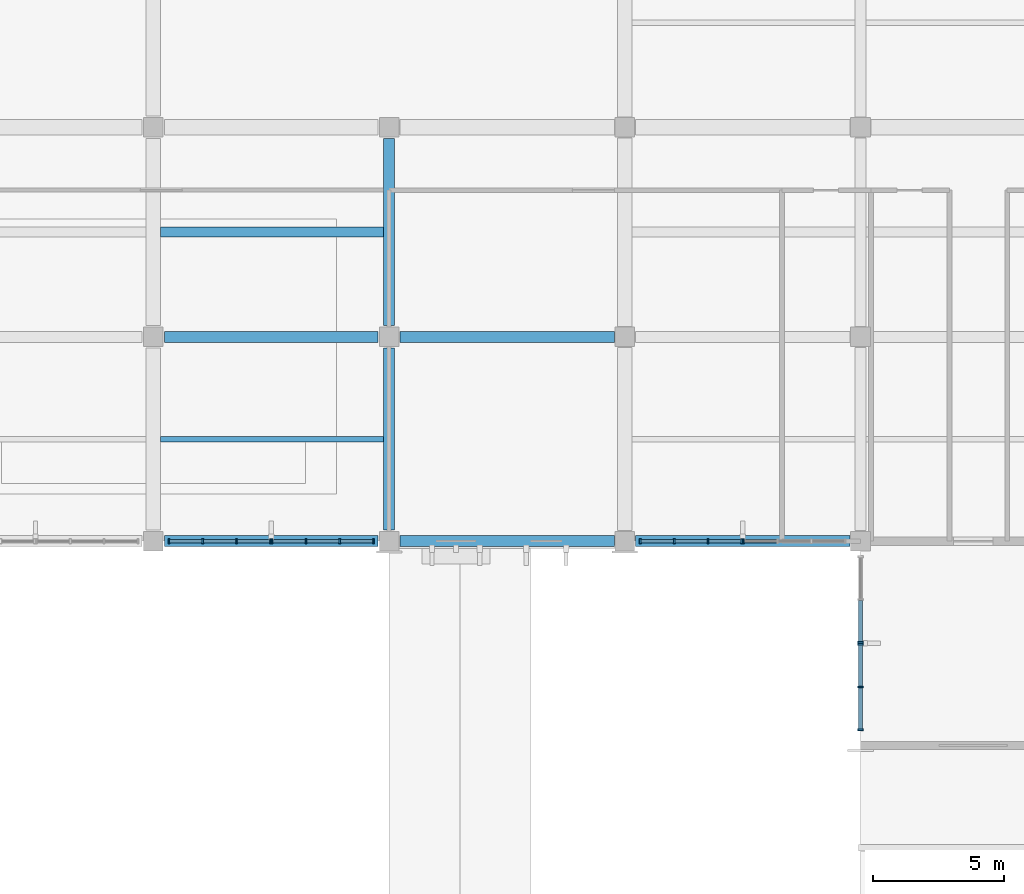
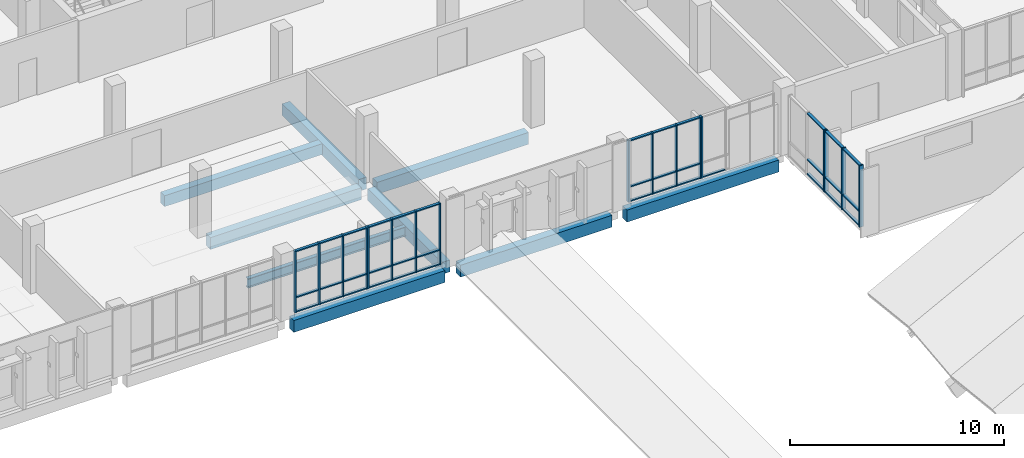
# One storey, part 21 of 64: 54 members, 9 beams, 6 elements without a shape of their own.
"""IFC4 building model written with IfcOpenShell, lengths in metres."""

from ifc_helpers import new_model, si_unit, direction, frame, origin, origin_2d, place, context, subcontext, project, spatial, rectangle, i_section, extrude, material, material_profile, profile_set, type_object, element, aggregate, save


model = new_model("IFC4")

# Units and contexts
model_context = context("Model", 3, precision=1e-05, world=origin(), true_north=direction((0.0, 1.0)))
body_context = subcontext(model_context, "Body", "Model", "MODEL_VIEW")
ifc_project = project(units=[si_unit("LENGTHUNIT", "METRE"), si_unit("AREAUNIT", "SQUARE_METRE"), si_unit("VOLUMEUNIT", "CUBIC_METRE"), si_unit("PLANEANGLEUNIT", "RADIAN"), si_unit("MASSUNIT", "GRAM", prefix="KILO")], contexts=[model_context])

# Site, building, storey
site_placement = place(None, origin())
site = spatial("IfcSite", under=ifc_project, at=site_placement, CompositionType="ELEMENT")
building_placement = place(site_placement, origin())
building = spatial("IfcBuilding", under=site, at=building_placement, Name="Vervanel Yard Central Library", CompositionType="ELEMENT")
storey_placement = place(building_placement, frame((0.0, 0.0, 8.93994140625)))
storey = spatial("IfcBuildingStorey", under=building, at=storey_placement, Name="L02", CompositionType="ELEMENT", Elevation=8.93994140625)

# Beams
ifc_material_1 = material(Name="Concrete C40/50", Category="concrete")
ifc_material_profile_1 = material_profile(ifc_material_1, rectangle(XDim=0.419921875, YDim=0.679931640625, at=origin_2d()), Name="RC 420x680", Category="concrete")
ifc_profile_set_1 = profile_set([ifc_material_profile_1], Name="Concrete C40/50")
beam_type_1 = type_object("IfcBeamType", Name="Concrete Perimeter Spandrel 420x680", PredefinedType="SPANDREL", material=ifc_profile_set_1)
beam_1_placement = place(storey_placement, frame((63.425048828125, 82.199951171875, -0.64501953125), z_axis=(1.0, 0.0, 0.0), x_axis=(0.0, 1.0, 0.0)))
element("IfcBeam", 1, at=beam_1_placement, inside=storey, type_object=beam_type_1, Name="L02 Girder SP-04 Y=82.2 X=63.0-72.0", PredefinedType="SPANDREL", context=body_context, shape_type="SweptSolid", body=[
    extrude(rectangle(XDim=0.419921875, YDim=0.679931640625, at=origin_2d()), origin(), (0.0, 0.0, 1.0), 8.14990234375),
])
beam_2_placement = place(storey_placement, frame((72.425048828125, 82.199951171875, -0.64501953125), z_axis=(1.0, 0.0, 0.0), x_axis=(0.0, 1.0, 0.0)))
element("IfcBeam", 2, at=beam_2_placement, inside=storey, type_object=beam_type_1, Name="L02 Girder SP-04 Y=82.2 X=72.0-81.0", PredefinedType="SPANDREL", context=body_context, shape_type="SweptSolid", body=[
    extrude(rectangle(XDim=0.419921875, YDim=0.679931640625, at=origin_2d()), origin(), (0.0, 0.0, 1.0), 8.175048828125),
])
beam_3_placement = place(storey_placement, frame((81.39990234375, 82.199951171875, -0.64501953125), z_axis=(1.0, 0.0, 0.0), x_axis=(0.0, 1.0, 0.0)))
element("IfcBeam", 3, at=beam_3_placement, inside=storey, type_object=beam_type_1, Name="L02 Girder SP-04 Y=82.2 X=81.0-90.0", PredefinedType="SPANDREL", context=body_context, shape_type="SweptSolid", body=[
    extrude(rectangle(XDim=0.419921875, YDim=0.679931640625, at=origin_2d()), origin(), (0.0, 0.0, 1.0), 8.2001953125),
])
beam_4_placement = place(storey_placement, frame((63.425048828125, 90.0, -0.64501953125), z_axis=(1.0, 0.0, 0.0), x_axis=(0.0, 1.0, 0.0)))
element("IfcBeam", 4, at=beam_4_placement, inside=storey, type_object=beam_type_1, Name="L02 Girder SP-04 Y=90.0 X=63.0-72.0", PredefinedType="SPANDREL", context=body_context, shape_type="SweptSolid", body=[
    extrude(rectangle(XDim=0.419921875, YDim=0.679931640625, at=origin_2d()), origin(), (0.0, 0.0, 1.0), 8.14990234375),
])
beam_5_placement = place(storey_placement, frame((72.425048828125, 90.0, -0.64501953125), z_axis=(1.0, 0.0, 0.0), x_axis=(0.0, 1.0, 0.0)))
element("IfcBeam", 5, at=beam_5_placement, inside=storey, type_object=beam_type_1, Name="L02 Girder SP-04 Y=90.0 X=72.0-81.0", PredefinedType="SPANDREL", context=body_context, shape_type="SweptSolid", body=[
    extrude(rectangle(XDim=0.419921875, YDim=0.679931640625, at=origin_2d()), origin(), (0.0, 0.0, 1.0), 8.175048828125),
])
beam_6_placement = place(storey_placement, frame((72.0, 82.625, -0.64501953125), z_axis=(0.0, 1.0, 0.0), x_axis=(-1.0, 0.0, 0.0)))
element("IfcBeam", 6, at=beam_6_placement, inside=storey, type_object=beam_type_1, Name="L02 Girder SP-04 X=72.0 Y=82.2-90.0", PredefinedType="SPANDREL", context=body_context, shape_type="SweptSolid", body=[
    extrude(rectangle(XDim=0.419921875, YDim=0.679931640625, at=origin_2d()), origin(), (0.0, 0.0, 1.0), 6.949951171875),
])
beam_7_placement = place(storey_placement, frame((72.0, 90.425048828125, -0.64501953125), z_axis=(0.0, 1.0, 0.0), x_axis=(-1.0, 0.0, 0.0)))
element("IfcBeam", 7, at=beam_7_placement, inside=storey, type_object=beam_type_1, Name="L02 Girder SP-04 X=72.0 Y=90.0-98.0", PredefinedType="SPANDREL", context=body_context, shape_type="SweptSolid", body=[
    extrude(rectangle(XDim=0.419921875, YDim=0.679931640625, at=origin_2d()), origin(), (0.0, 0.0, 1.0), 7.14990234375),
])
ifc_material_profile_2 = material_profile(ifc_material_1, rectangle(XDim=0.3798828125, YDim=0.6201171875, at=origin_2d()), Name="RC 380x620", Category="concrete")
ifc_profile_set_2 = profile_set([ifc_material_profile_2], Name="Concrete C40/50")
beam_type_2 = type_object("IfcBeamType", Name="Concrete Secondary Joist 380x620", PredefinedType="JOIST", material=ifc_profile_set_2)
beam_8_placement = place(storey_placement, frame((63.27490234375, 94.0, -0.614990234375), z_axis=(1.0, 0.0, 0.0), x_axis=(0.0, 1.0, 0.0)))
element("IfcBeam", 8, at=beam_8_placement, inside=storey, type_object=beam_type_2, Name="L02 Floor Joist CJ-05 Y=94.00 X=63.0-72.0", PredefinedType="JOIST", context=body_context, shape_type="SweptSolid", body=[
    extrude(rectangle(XDim=0.3798828125, YDim=0.6201171875, at=origin_2d()), origin(), (0.0, 0.0, 1.0), 8.51513671875),
])

# Curtain wall, members
ifc_material_2 = material(Name="Thermally broken anodized aluminium 6063-T6", Category="aluminium")
curtain_wall_type_1 = type_object("IfcCurtainWallType", Name="Atrium Courtyard Curtain Wall", PredefinedType="NOTDEFINED", material=ifc_material_2)
curtain_wall_1_placement = place(storey_placement, origin())
curtain_wall_1 = element("IfcCurtainWall", 9, at=curtain_wall_1_placement, inside=storey, type_object=curtain_wall_type_1, Name="L02 Atrium Courtyard Curtain Wall CWR-L02-009", PredefinedType="NOTDEFINED")
ifc_material_profile_3 = material_profile(ifc_material_2, rectangle(XDim=0.06494140625, YDim=0.18994140625, at=origin_2d()), Name="ALU 65x190", Category="aluminium")
ifc_profile_set_3 = profile_set([ifc_material_profile_3], Name="Thermally broken anodized aluminium 6063-T6")
member_type_1 = type_object("IfcMemberType", Name="Curtain Wall Primary Mullion 65x190", PredefinedType="MULLION", material=ifc_profile_set_3)
member_1_placement = place(storey_placement, frame((63.592529296875, 82.199951171875, 0.0), z_axis=(0.0, 0.0, 1.0), x_axis=(1.0, 0.0, 0.0)))
member_1 = element("IfcMember", 10, at=member_1_placement, type_object=member_type_1, Name="CWR-L02-009 Mullion 1", PredefinedType="MULLION", context=body_context, shape_type="SweptSolid", body=[
    extrude(rectangle(XDim=0.06494140625, YDim=0.18994140625, at=origin_2d()), origin(), (0.0, 0.0, 1.0), 3.510009765625),
])
member_2_placement = place(storey_placement, frame((64.88427734375, 82.199951171875, 0.0), z_axis=(0.0, 0.0, 1.0), x_axis=(1.0, 0.0, 0.0)))
member_2 = element("IfcMember", 11, at=member_2_placement, type_object=member_type_1, Name="CWR-L02-009 Mullion 2", PredefinedType="MULLION", context=body_context, shape_type="SweptSolid", body=[
    extrude(rectangle(XDim=0.06494140625, YDim=0.18994140625, at=origin_2d()), origin(), (0.0, 0.0, 1.0), 3.510009765625),
])
member_3_placement = place(storey_placement, frame((66.17578125, 82.199951171875, 0.0), z_axis=(0.0, 0.0, 1.0), x_axis=(1.0, 0.0, 0.0)))
member_3 = element("IfcMember", 12, at=member_3_placement, type_object=member_type_1, Name="CWR-L02-009 Mullion 3", PredefinedType="MULLION", context=body_context, shape_type="SweptSolid", body=[
    extrude(rectangle(XDim=0.06494140625, YDim=0.18994140625, at=origin_2d()), origin(), (0.0, 0.0, 1.0), 3.510009765625),
])
member_4_placement = place(storey_placement, frame((67.467529296875, 82.199951171875, 0.0), z_axis=(0.0, 0.0, 1.0), x_axis=(1.0, 0.0, 0.0)))
member_4 = element("IfcMember", 13, at=member_4_placement, type_object=member_type_1, Name="CWR-L02-009 Mullion 4", PredefinedType="MULLION", context=body_context, shape_type="SweptSolid", body=[
    extrude(rectangle(XDim=0.06494140625, YDim=0.18994140625, at=origin_2d()), origin(), (0.0, 0.0, 1.0), 3.510009765625),
])

curtain_wall_2_placement = place(storey_placement, origin())
curtain_wall_2 = element("IfcCurtainWall", 14, at=curtain_wall_2_placement, inside=storey, type_object=curtain_wall_type_1, Name="L02 Atrium Courtyard Curtain Wall CWR-L02-010", PredefinedType="NOTDEFINED")
member_5_placement = place(storey_placement, frame((67.532470703125, 82.199951171875, 0.0), z_axis=(0.0, 0.0, 1.0), x_axis=(1.0, 0.0, 0.0)))
member_5 = element("IfcMember", 15, at=member_5_placement, type_object=member_type_1, Name="CWR-L02-010 Mullion 1", PredefinedType="MULLION", context=body_context, shape_type="SweptSolid", body=[
    extrude(rectangle(XDim=0.06494140625, YDim=0.18994140625, at=origin_2d()), origin(), (0.0, 0.0, 1.0), 3.510009765625),
])
member_6_placement = place(storey_placement, frame((68.82421875, 82.199951171875, 0.0), z_axis=(0.0, 0.0, 1.0), x_axis=(1.0, 0.0, 0.0)))
member_6 = element("IfcMember", 16, at=member_6_placement, type_object=member_type_1, Name="CWR-L02-010 Mullion 2", PredefinedType="MULLION", context=body_context, shape_type="SweptSolid", body=[
    extrude(rectangle(XDim=0.06494140625, YDim=0.18994140625, at=origin_2d()), origin(), (0.0, 0.0, 1.0), 3.510009765625),
])
member_7_placement = place(storey_placement, frame((70.11572265625, 82.199951171875, 0.0), z_axis=(0.0, 0.0, 1.0), x_axis=(1.0, 0.0, 0.0)))
member_7 = element("IfcMember", 17, at=member_7_placement, type_object=member_type_1, Name="CWR-L02-010 Mullion 3", PredefinedType="MULLION", context=body_context, shape_type="SweptSolid", body=[
    extrude(rectangle(XDim=0.06494140625, YDim=0.18994140625, at=origin_2d()), origin(), (0.0, 0.0, 1.0), 3.510009765625),
])
member_8_placement = place(storey_placement, frame((71.407470703125, 82.199951171875, 0.0), z_axis=(0.0, 0.0, 1.0), x_axis=(1.0, 0.0, 0.0)))
member_8 = element("IfcMember", 18, at=member_8_placement, type_object=member_type_1, Name="CWR-L02-010 Mullion 4", PredefinedType="MULLION", context=body_context, shape_type="SweptSolid", body=[
    extrude(rectangle(XDim=0.06494140625, YDim=0.18994140625, at=origin_2d()), origin(), (0.0, 0.0, 1.0), 3.510009765625),
])

curtain_wall_3_placement = place(storey_placement, origin())
curtain_wall_3 = element("IfcCurtainWall", 19, at=curtain_wall_3_placement, inside=storey, type_object=curtain_wall_type_1, Name="L02 Atrium Courtyard Curtain Wall CWR-L02-011", PredefinedType="NOTDEFINED")
member_9_placement = place(storey_placement, frame((81.592529296875, 82.199951171875, 0.0), z_axis=(0.0, 0.0, 1.0), x_axis=(1.0, 0.0, 0.0)))
member_9 = element("IfcMember", 20, at=member_9_placement, type_object=member_type_1, Name="CWR-L02-011 Mullion 1", PredefinedType="MULLION", context=body_context, shape_type="SweptSolid", body=[
    extrude(rectangle(XDim=0.06494140625, YDim=0.18994140625, at=origin_2d()), origin(), (0.0, 0.0, 1.0), 3.510009765625),
])
member_10_placement = place(storey_placement, frame((82.88427734375, 82.199951171875, 0.0), z_axis=(0.0, 0.0, 1.0), x_axis=(1.0, 0.0, 0.0)))
member_10 = element("IfcMember", 21, at=member_10_placement, type_object=member_type_1, Name="CWR-L02-011 Mullion 2", PredefinedType="MULLION", context=body_context, shape_type="SweptSolid", body=[
    extrude(rectangle(XDim=0.06494140625, YDim=0.18994140625, at=origin_2d()), origin(), (0.0, 0.0, 1.0), 3.510009765625),
])
member_11_placement = place(storey_placement, frame((84.17578125, 82.199951171875, 0.0), z_axis=(0.0, 0.0, 1.0), x_axis=(1.0, 0.0, 0.0)))
member_11 = element("IfcMember", 22, at=member_11_placement, type_object=member_type_1, Name="CWR-L02-011 Mullion 3", PredefinedType="MULLION", context=body_context, shape_type="SweptSolid", body=[
    extrude(rectangle(XDim=0.06494140625, YDim=0.18994140625, at=origin_2d()), origin(), (0.0, 0.0, 1.0), 3.510009765625),
])
member_12_placement = place(storey_placement, frame((85.467529296875, 82.199951171875, 0.0), z_axis=(0.0, 0.0, 1.0), x_axis=(1.0, 0.0, 0.0)))
member_12 = element("IfcMember", 23, at=member_12_placement, type_object=member_type_1, Name="CWR-L02-011 Mullion 4", PredefinedType="MULLION", context=body_context, shape_type="SweptSolid", body=[
    extrude(rectangle(XDim=0.06494140625, YDim=0.18994140625, at=origin_2d()), origin(), (0.0, 0.0, 1.0), 3.510009765625),
])

# Curtain wall, member
curtain_wall_4_placement = place(storey_placement, origin())
curtain_wall_4 = element("IfcCurtainWall", 24, at=curtain_wall_4_placement, inside=storey, type_object=curtain_wall_type_1, Name="L02 Atrium Courtyard Curtain Wall CWR-L02-012", PredefinedType="NOTDEFINED")
member_13_placement = place(storey_placement, frame((85.532470703125, 82.199951171875, 0.0), z_axis=(0.0, 0.0, 1.0), x_axis=(1.0, 0.0, 0.0)))
member_13 = element("IfcMember", 25, at=member_13_placement, type_object=member_type_1, Name="CWR-L02-012 Mullion 1", PredefinedType="MULLION", context=body_context, shape_type="SweptSolid", body=[
    extrude(rectangle(XDim=0.06494140625, YDim=0.18994140625, at=origin_2d()), origin(), (0.0, 0.0, 1.0), 3.510009765625),
])

# Member
ifc_material_profile_4 = material_profile(ifc_material_2, rectangle(XDim=0.06494140625, YDim=0.139892578125, at=origin_2d()), Name="ALU 65x140", Category="aluminium")
ifc_profile_set_4 = profile_set([ifc_material_profile_4], Name="Thermally broken anodized aluminium 6063-T6")
member_type_2 = type_object("IfcMemberType", Name="Curtain Wall Transom 65x140", PredefinedType="NOTDEFINED", material=ifc_profile_set_4)
member_14_placement = place(storey_placement, frame((63.625, 82.199951171875, 0.032470703125), z_axis=(1.0, 0.0, 0.0), x_axis=(0.0, 0.0, 1.0)))
member_14 = element("IfcMember", 26, at=member_14_placement, type_object=member_type_2, Name="CWR-L02-009 Transom B1-T1", ObjectType="TRANSOM", PredefinedType="USERDEFINED", context=body_context, shape_type="SweptSolid", body=[
    extrude(rectangle(XDim=0.06494140625, YDim=0.139892578125, at=origin_2d()), origin(), (0.0, 0.0, 1.0), 1.2265625),
])

member_15_placement = place(storey_placement, frame((63.625, 82.199951171875, 0.85009765625), z_axis=(1.0, 0.0, 0.0), x_axis=(0.0, 0.0, 1.0)))
member_15 = element("IfcMember", 27, at=member_15_placement, type_object=member_type_2, Name="CWR-L02-009 Transom B1-T2", ObjectType="TRANSOM", PredefinedType="USERDEFINED", context=body_context, shape_type="SweptSolid", body=[
    extrude(rectangle(XDim=0.06494140625, YDim=0.139892578125, at=origin_2d()), origin(), (0.0, 0.0, 1.0), 1.2265625),
])

member_16_placement = place(storey_placement, frame((63.625, 82.199951171875, 3.4775390625), z_axis=(1.0, 0.0, 0.0), x_axis=(0.0, 0.0, 1.0)))
member_16 = element("IfcMember", 28, at=member_16_placement, type_object=member_type_2, Name="CWR-L02-009 Transom B1-T3", ObjectType="TRANSOM", PredefinedType="USERDEFINED", context=body_context, shape_type="SweptSolid", body=[
    extrude(rectangle(XDim=0.06494140625, YDim=0.139892578125, at=origin_2d()), origin(), (0.0, 0.0, 1.0), 1.2265625),
])

member_17_placement = place(storey_placement, frame((64.916748046875, 82.199951171875, 0.032470703125), z_axis=(1.0, 0.0, 0.0), x_axis=(0.0, 0.0, 1.0)))
member_17 = element("IfcMember", 29, at=member_17_placement, type_object=member_type_2, Name="CWR-L02-009 Transom B2-T1", ObjectType="TRANSOM", PredefinedType="USERDEFINED", context=body_context, shape_type="SweptSolid", body=[
    extrude(rectangle(XDim=0.06494140625, YDim=0.139892578125, at=origin_2d()), origin(), (0.0, 0.0, 1.0), 1.2265625),
])

member_18_placement = place(storey_placement, frame((64.916748046875, 82.199951171875, 0.85009765625), z_axis=(1.0, 0.0, 0.0), x_axis=(0.0, 0.0, 1.0)))
member_18 = element("IfcMember", 30, at=member_18_placement, type_object=member_type_2, Name="CWR-L02-009 Transom B2-T2", ObjectType="TRANSOM", PredefinedType="USERDEFINED", context=body_context, shape_type="SweptSolid", body=[
    extrude(rectangle(XDim=0.06494140625, YDim=0.139892578125, at=origin_2d()), origin(), (0.0, 0.0, 1.0), 1.2265625),
])

member_19_placement = place(storey_placement, frame((64.916748046875, 82.199951171875, 3.4775390625), z_axis=(1.0, 0.0, 0.0), x_axis=(0.0, 0.0, 1.0)))
member_19 = element("IfcMember", 31, at=member_19_placement, type_object=member_type_2, Name="CWR-L02-009 Transom B2-T3", ObjectType="TRANSOM", PredefinedType="USERDEFINED", context=body_context, shape_type="SweptSolid", body=[
    extrude(rectangle(XDim=0.06494140625, YDim=0.139892578125, at=origin_2d()), origin(), (0.0, 0.0, 1.0), 1.2265625),
])

member_20_placement = place(storey_placement, frame((66.208251953125, 82.199951171875, 0.032470703125), z_axis=(1.0, 0.0, 0.0), x_axis=(0.0, 0.0, 1.0)))
member_20 = element("IfcMember", 32, at=member_20_placement, type_object=member_type_2, Name="CWR-L02-009 Transom B3-T1", ObjectType="TRANSOM", PredefinedType="USERDEFINED", context=body_context, shape_type="SweptSolid", body=[
    extrude(rectangle(XDim=0.06494140625, YDim=0.139892578125, at=origin_2d()), origin(), (0.0, 0.0, 1.0), 1.226806640625),
])

member_21_placement = place(storey_placement, frame((66.208251953125, 82.199951171875, 0.85009765625), z_axis=(1.0, 0.0, 0.0), x_axis=(0.0, 0.0, 1.0)))
member_21 = element("IfcMember", 33, at=member_21_placement, type_object=member_type_2, Name="CWR-L02-009 Transom B3-T2", ObjectType="TRANSOM", PredefinedType="USERDEFINED", context=body_context, shape_type="SweptSolid", body=[
    extrude(rectangle(XDim=0.06494140625, YDim=0.139892578125, at=origin_2d()), origin(), (0.0, 0.0, 1.0), 1.226806640625),
])

member_22_placement = place(storey_placement, frame((66.208251953125, 82.199951171875, 3.4775390625), z_axis=(1.0, 0.0, 0.0), x_axis=(0.0, 0.0, 1.0)))
member_22 = element("IfcMember", 34, at=member_22_placement, type_object=member_type_2, Name="CWR-L02-009 Transom B3-T3", ObjectType="TRANSOM", PredefinedType="USERDEFINED", context=body_context, shape_type="SweptSolid", body=[
    extrude(rectangle(XDim=0.06494140625, YDim=0.139892578125, at=origin_2d()), origin(), (0.0, 0.0, 1.0), 1.226806640625),
])

aggregate(curtain_wall_1, [member_1, member_2, member_3, member_4, member_14, member_15, member_16, member_17, member_18, member_19, member_20, member_21, member_22])

member_23_placement = place(storey_placement, frame((67.56494140625, 82.199951171875, 0.032470703125), z_axis=(1.0, 0.0, 0.0), x_axis=(0.0, 0.0, 1.0)))
member_23 = element("IfcMember", 35, at=member_23_placement, type_object=member_type_2, Name="CWR-L02-010 Transom B1-T1", ObjectType="TRANSOM", PredefinedType="USERDEFINED", context=body_context, shape_type="SweptSolid", body=[
    extrude(rectangle(XDim=0.06494140625, YDim=0.139892578125, at=origin_2d()), origin(), (0.0, 0.0, 1.0), 1.226806640625),
])

member_24_placement = place(storey_placement, frame((67.56494140625, 82.199951171875, 0.85009765625), z_axis=(1.0, 0.0, 0.0), x_axis=(0.0, 0.0, 1.0)))
member_24 = element("IfcMember", 36, at=member_24_placement, type_object=member_type_2, Name="CWR-L02-010 Transom B1-T2", ObjectType="TRANSOM", PredefinedType="USERDEFINED", context=body_context, shape_type="SweptSolid", body=[
    extrude(rectangle(XDim=0.06494140625, YDim=0.139892578125, at=origin_2d()), origin(), (0.0, 0.0, 1.0), 1.226806640625),
])

member_25_placement = place(storey_placement, frame((67.56494140625, 82.199951171875, 3.4775390625), z_axis=(1.0, 0.0, 0.0), x_axis=(0.0, 0.0, 1.0)))
member_25 = element("IfcMember", 37, at=member_25_placement, type_object=member_type_2, Name="CWR-L02-010 Transom B1-T3", ObjectType="TRANSOM", PredefinedType="USERDEFINED", context=body_context, shape_type="SweptSolid", body=[
    extrude(rectangle(XDim=0.06494140625, YDim=0.139892578125, at=origin_2d()), origin(), (0.0, 0.0, 1.0), 1.226806640625),
])

member_26_placement = place(storey_placement, frame((68.856689453125, 82.199951171875, 0.032470703125), z_axis=(1.0, 0.0, 0.0), x_axis=(0.0, 0.0, 1.0)))
member_26 = element("IfcMember", 38, at=member_26_placement, type_object=member_type_2, Name="CWR-L02-010 Transom B2-T1", ObjectType="TRANSOM", PredefinedType="USERDEFINED", context=body_context, shape_type="SweptSolid", body=[
    extrude(rectangle(XDim=0.06494140625, YDim=0.139892578125, at=origin_2d()), origin(), (0.0, 0.0, 1.0), 1.2265625),
])

member_27_placement = place(storey_placement, frame((68.856689453125, 82.199951171875, 0.85009765625), z_axis=(1.0, 0.0, 0.0), x_axis=(0.0, 0.0, 1.0)))
member_27 = element("IfcMember", 39, at=member_27_placement, type_object=member_type_2, Name="CWR-L02-010 Transom B2-T2", ObjectType="TRANSOM", PredefinedType="USERDEFINED", context=body_context, shape_type="SweptSolid", body=[
    extrude(rectangle(XDim=0.06494140625, YDim=0.139892578125, at=origin_2d()), origin(), (0.0, 0.0, 1.0), 1.2265625),
])

member_28_placement = place(storey_placement, frame((68.856689453125, 82.199951171875, 3.4775390625), z_axis=(1.0, 0.0, 0.0), x_axis=(0.0, 0.0, 1.0)))
member_28 = element("IfcMember", 40, at=member_28_placement, type_object=member_type_2, Name="CWR-L02-010 Transom B2-T3", ObjectType="TRANSOM", PredefinedType="USERDEFINED", context=body_context, shape_type="SweptSolid", body=[
    extrude(rectangle(XDim=0.06494140625, YDim=0.139892578125, at=origin_2d()), origin(), (0.0, 0.0, 1.0), 1.2265625),
])

member_29_placement = place(storey_placement, frame((70.1484375, 82.199951171875, 0.032470703125), z_axis=(1.0, 0.0, 0.0), x_axis=(0.0, 0.0, 1.0)))
member_29 = element("IfcMember", 41, at=member_29_placement, type_object=member_type_2, Name="CWR-L02-010 Transom B3-T1", ObjectType="TRANSOM", PredefinedType="USERDEFINED", context=body_context, shape_type="SweptSolid", body=[
    extrude(rectangle(XDim=0.06494140625, YDim=0.139892578125, at=origin_2d()), origin(), (0.0, 0.0, 1.0), 1.2265625),
])

member_30_placement = place(storey_placement, frame((70.1484375, 82.199951171875, 0.85009765625), z_axis=(1.0, 0.0, 0.0), x_axis=(0.0, 0.0, 1.0)))
member_30 = element("IfcMember", 42, at=member_30_placement, type_object=member_type_2, Name="CWR-L02-010 Transom B3-T2", ObjectType="TRANSOM", PredefinedType="USERDEFINED", context=body_context, shape_type="SweptSolid", body=[
    extrude(rectangle(XDim=0.06494140625, YDim=0.139892578125, at=origin_2d()), origin(), (0.0, 0.0, 1.0), 1.2265625),
])

member_31_placement = place(storey_placement, frame((70.1484375, 82.199951171875, 3.4775390625), z_axis=(1.0, 0.0, 0.0), x_axis=(0.0, 0.0, 1.0)))
member_31 = element("IfcMember", 43, at=member_31_placement, type_object=member_type_2, Name="CWR-L02-010 Transom B3-T3", ObjectType="TRANSOM", PredefinedType="USERDEFINED", context=body_context, shape_type="SweptSolid", body=[
    extrude(rectangle(XDim=0.06494140625, YDim=0.139892578125, at=origin_2d()), origin(), (0.0, 0.0, 1.0), 1.2265625),
])

aggregate(curtain_wall_2, [member_5, member_6, member_7, member_8, member_23, member_24, member_25, member_26, member_27, member_28, member_29, member_30, member_31])

member_32_placement = place(storey_placement, frame((81.625, 82.199951171875, 0.032470703125), z_axis=(1.0, 0.0, 0.0), x_axis=(0.0, 0.0, 1.0)))
member_32 = element("IfcMember", 44, at=member_32_placement, type_object=member_type_2, Name="CWR-L02-011 Transom B1-T1", ObjectType="TRANSOM", PredefinedType="USERDEFINED", context=body_context, shape_type="SweptSolid", body=[
    extrude(rectangle(XDim=0.06494140625, YDim=0.139892578125, at=origin_2d()), origin(), (0.0, 0.0, 1.0), 1.2265625),
])

member_33_placement = place(storey_placement, frame((81.625, 82.199951171875, 0.85009765625), z_axis=(1.0, 0.0, 0.0), x_axis=(0.0, 0.0, 1.0)))
member_33 = element("IfcMember", 45, at=member_33_placement, type_object=member_type_2, Name="CWR-L02-011 Transom B1-T2", ObjectType="TRANSOM", PredefinedType="USERDEFINED", context=body_context, shape_type="SweptSolid", body=[
    extrude(rectangle(XDim=0.06494140625, YDim=0.139892578125, at=origin_2d()), origin(), (0.0, 0.0, 1.0), 1.2265625),
])

member_34_placement = place(storey_placement, frame((81.625, 82.199951171875, 3.4775390625), z_axis=(1.0, 0.0, 0.0), x_axis=(0.0, 0.0, 1.0)))
member_34 = element("IfcMember", 46, at=member_34_placement, type_object=member_type_2, Name="CWR-L02-011 Transom B1-T3", ObjectType="TRANSOM", PredefinedType="USERDEFINED", context=body_context, shape_type="SweptSolid", body=[
    extrude(rectangle(XDim=0.06494140625, YDim=0.139892578125, at=origin_2d()), origin(), (0.0, 0.0, 1.0), 1.2265625),
])

member_35_placement = place(storey_placement, frame((82.916748046875, 82.199951171875, 0.032470703125), z_axis=(1.0, 0.0, 0.0), x_axis=(0.0, 0.0, 1.0)))
member_35 = element("IfcMember", 47, at=member_35_placement, type_object=member_type_2, Name="CWR-L02-011 Transom B2-T1", ObjectType="TRANSOM", PredefinedType="USERDEFINED", context=body_context, shape_type="SweptSolid", body=[
    extrude(rectangle(XDim=0.06494140625, YDim=0.139892578125, at=origin_2d()), origin(), (0.0, 0.0, 1.0), 1.2265625),
])

member_36_placement = place(storey_placement, frame((82.916748046875, 82.199951171875, 0.85009765625), z_axis=(1.0, 0.0, 0.0), x_axis=(0.0, 0.0, 1.0)))
member_36 = element("IfcMember", 48, at=member_36_placement, type_object=member_type_2, Name="CWR-L02-011 Transom B2-T2", ObjectType="TRANSOM", PredefinedType="USERDEFINED", context=body_context, shape_type="SweptSolid", body=[
    extrude(rectangle(XDim=0.06494140625, YDim=0.139892578125, at=origin_2d()), origin(), (0.0, 0.0, 1.0), 1.2265625),
])

member_37_placement = place(storey_placement, frame((82.916748046875, 82.199951171875, 3.4775390625), z_axis=(1.0, 0.0, 0.0), x_axis=(0.0, 0.0, 1.0)))
member_37 = element("IfcMember", 49, at=member_37_placement, type_object=member_type_2, Name="CWR-L02-011 Transom B2-T3", ObjectType="TRANSOM", PredefinedType="USERDEFINED", context=body_context, shape_type="SweptSolid", body=[
    extrude(rectangle(XDim=0.06494140625, YDim=0.139892578125, at=origin_2d()), origin(), (0.0, 0.0, 1.0), 1.2265625),
])

member_38_placement = place(storey_placement, frame((84.208251953125, 82.199951171875, 0.032470703125), z_axis=(1.0, 0.0, 0.0), x_axis=(0.0, 0.0, 1.0)))
member_38 = element("IfcMember", 50, at=member_38_placement, type_object=member_type_2, Name="CWR-L02-011 Transom B3-T1", ObjectType="TRANSOM", PredefinedType="USERDEFINED", context=body_context, shape_type="SweptSolid", body=[
    extrude(rectangle(XDim=0.06494140625, YDim=0.139892578125, at=origin_2d()), origin(), (0.0, 0.0, 1.0), 1.226806640625),
])

member_39_placement = place(storey_placement, frame((84.208251953125, 82.199951171875, 0.85009765625), z_axis=(1.0, 0.0, 0.0), x_axis=(0.0, 0.0, 1.0)))
member_39 = element("IfcMember", 51, at=member_39_placement, type_object=member_type_2, Name="CWR-L02-011 Transom B3-T2", ObjectType="TRANSOM", PredefinedType="USERDEFINED", context=body_context, shape_type="SweptSolid", body=[
    extrude(rectangle(XDim=0.06494140625, YDim=0.139892578125, at=origin_2d()), origin(), (0.0, 0.0, 1.0), 1.226806640625),
])

member_40_placement = place(storey_placement, frame((84.208251953125, 82.199951171875, 3.4775390625), z_axis=(1.0, 0.0, 0.0), x_axis=(0.0, 0.0, 1.0)))
member_40 = element("IfcMember", 52, at=member_40_placement, type_object=member_type_2, Name="CWR-L02-011 Transom B3-T3", ObjectType="TRANSOM", PredefinedType="USERDEFINED", context=body_context, shape_type="SweptSolid", body=[
    extrude(rectangle(XDim=0.06494140625, YDim=0.139892578125, at=origin_2d()), origin(), (0.0, 0.0, 1.0), 1.226806640625),
])

aggregate(curtain_wall_3, [member_9, member_10, member_11, member_12, member_32, member_33, member_34, member_35, member_36, member_37, member_38, member_39, member_40])

member_41_placement = place(storey_placement, frame((85.56494140625, 82.199951171875, 0.032470703125), z_axis=(1.0, 0.0, 0.0), x_axis=(0.0, 0.0, 1.0)))
member_41 = element("IfcMember", 53, at=member_41_placement, type_object=member_type_2, Name="CWR-L02-012 Transom B1-T1", ObjectType="TRANSOM", PredefinedType="USERDEFINED", context=body_context, shape_type="SweptSolid", body=[
    extrude(rectangle(XDim=0.06494140625, YDim=0.139892578125, at=origin_2d()), origin(), (0.0, 0.0, 1.0), 1.226806640625),
])

aggregate(curtain_wall_4, [member_13, member_41])

# Curtain wall, members
curtain_wall_type_2 = type_object("IfcCurtainWallType", Name="Reading Hall Full-Height Curtain Wall", PredefinedType="NOTDEFINED", material=ifc_material_2)
curtain_wall_5_placement = place(storey_placement, origin())
curtain_wall_5 = element("IfcCurtainWall", 54, at=curtain_wall_5_placement, inside=storey, type_object=curtain_wall_type_2, Name="L02 Reading Hall Full-Height Curtain Wall CWR-L02-052", PredefinedType="NOTDEFINED")
ifc_material_profile_5 = material_profile(ifc_material_2, rectangle(XDim=0.070068359375, YDim=0.219970703125, at=origin_2d()), Name="ALU 70x220", Category="aluminium")
ifc_profile_set_5 = profile_set([ifc_material_profile_5], Name="Thermally broken anodized aluminium 6063-T6")
member_type_3 = type_object("IfcMemberType", Name="Reading Hall Deep Mullion 70x220", PredefinedType="MULLION", material=ifc_profile_set_5)
member_42_placement = place(storey_placement, frame((90.0, 74.9951171875, 0.0), z_axis=(0.0, 0.0, 1.0), x_axis=(0.0, 1.0, 0.0)))
member_42 = element("IfcMember", 55, at=member_42_placement, type_object=member_type_3, Name="CWR-L02-052 Mullion 1", PredefinedType="MULLION", context=body_context, shape_type="SweptSolid", body=[
    extrude(rectangle(XDim=0.070068359375, YDim=0.219970703125, at=origin_2d()), origin(), (0.0, 0.0, 1.0), 3.510009765625),
])
member_43_placement = place(storey_placement, frame((90.0, 76.6298828125, 0.0), z_axis=(0.0, 0.0, 1.0), x_axis=(0.0, 1.0, 0.0)))
member_43 = element("IfcMember", 56, at=member_43_placement, type_object=member_type_3, Name="CWR-L02-052 Mullion 2", PredefinedType="MULLION", context=body_context, shape_type="SweptSolid", body=[
    extrude(rectangle(XDim=0.070068359375, YDim=0.219970703125, at=origin_2d()), origin(), (0.0, 0.0, 1.0), 3.510009765625),
])
member_44_placement = place(storey_placement, frame((90.0, 78.264892578125, 0.0), z_axis=(0.0, 0.0, 1.0), x_axis=(0.0, 1.0, 0.0)))
member_44 = element("IfcMember", 57, at=member_44_placement, type_object=member_type_3, Name="CWR-L02-052 Mullion 3", PredefinedType="MULLION", context=body_context, shape_type="SweptSolid", body=[
    extrude(rectangle(XDim=0.070068359375, YDim=0.219970703125, at=origin_2d()), origin(), (0.0, 0.0, 1.0), 3.510009765625),
])

# Curtain wall, member
curtain_wall_6_placement = place(storey_placement, origin())
curtain_wall_6 = element("IfcCurtainWall", 58, at=curtain_wall_6_placement, inside=storey, type_object=curtain_wall_type_2, Name="L02 Reading Hall Full-Height Curtain Wall CWR-L02-053", PredefinedType="NOTDEFINED")
member_45_placement = place(storey_placement, frame((90.0, 78.3349609375, 0.0), z_axis=(0.0, 0.0, 1.0), x_axis=(0.0, 1.0, 0.0)))
member_45 = element("IfcMember", 59, at=member_45_placement, type_object=member_type_3, Name="CWR-L02-053 Mullion 1", PredefinedType="MULLION", context=body_context, shape_type="SweptSolid", body=[
    extrude(rectangle(XDim=0.070068359375, YDim=0.219970703125, at=origin_2d()), origin(), (0.0, 0.0, 1.0), 3.510009765625),
])

# Member
ifc_material_profile_6 = material_profile(ifc_material_2, rectangle(XDim=0.070068359375, YDim=0.14990234375, at=origin_2d()), Name="ALU 70x150", Category="aluminium")
ifc_profile_set_6 = profile_set([ifc_material_profile_6], Name="Thermally broken anodized aluminium 6063-T6")
member_type_4 = type_object("IfcMemberType", Name="Reading Hall Deep Transom 70x150", PredefinedType="NOTDEFINED", material=ifc_profile_set_6)
member_46_placement = place(storey_placement, frame((90.0, 75.030029296875, 0.03515625), z_axis=(0.0, 1.0, 0.0), x_axis=(0.0, 0.0, 1.0)))
member_46 = element("IfcMember", 60, at=member_46_placement, type_object=member_type_4, Name="CWR-L02-052 Transom B1-T1", ObjectType="TRANSOM", PredefinedType="USERDEFINED", context=body_context, shape_type="SweptSolid", body=[
    extrude(rectangle(XDim=0.070068359375, YDim=0.14990234375, at=origin_2d()), origin(), (0.0, 0.0, 1.0), 1.56494140625),
])

member_47_placement = place(storey_placement, frame((90.0, 75.030029296875, 0.85009765625), z_axis=(0.0, 1.0, 0.0), x_axis=(0.0, 0.0, 1.0)))
member_47 = element("IfcMember", 61, at=member_47_placement, type_object=member_type_4, Name="CWR-L02-052 Transom B1-T2", ObjectType="TRANSOM", PredefinedType="USERDEFINED", context=body_context, shape_type="SweptSolid", body=[
    extrude(rectangle(XDim=0.070068359375, YDim=0.14990234375, at=origin_2d()), origin(), (0.0, 0.0, 1.0), 1.56494140625),
])

member_48_placement = place(storey_placement, frame((90.0, 75.030029296875, 3.47509765625), z_axis=(0.0, 1.0, 0.0), x_axis=(0.0, 0.0, 1.0)))
member_48 = element("IfcMember", 62, at=member_48_placement, type_object=member_type_4, Name="CWR-L02-052 Transom B1-T3", ObjectType="TRANSOM", PredefinedType="USERDEFINED", context=body_context, shape_type="SweptSolid", body=[
    extrude(rectangle(XDim=0.070068359375, YDim=0.14990234375, at=origin_2d()), origin(), (0.0, 0.0, 1.0), 1.56494140625),
])

member_49_placement = place(storey_placement, frame((90.0, 76.6650390625, 0.03515625), z_axis=(0.0, 1.0, 0.0), x_axis=(0.0, 0.0, 1.0)))
member_49 = element("IfcMember", 63, at=member_49_placement, type_object=member_type_4, Name="CWR-L02-052 Transom B2-T1", ObjectType="TRANSOM", PredefinedType="USERDEFINED", context=body_context, shape_type="SweptSolid", body=[
    extrude(rectangle(XDim=0.070068359375, YDim=0.14990234375, at=origin_2d()), origin(), (0.0, 0.0, 1.0), 1.56494140625),
])

member_50_placement = place(storey_placement, frame((90.0, 76.6650390625, 0.85009765625), z_axis=(0.0, 1.0, 0.0), x_axis=(0.0, 0.0, 1.0)))
member_50 = element("IfcMember", 64, at=member_50_placement, type_object=member_type_4, Name="CWR-L02-052 Transom B2-T2", ObjectType="TRANSOM", PredefinedType="USERDEFINED", context=body_context, shape_type="SweptSolid", body=[
    extrude(rectangle(XDim=0.070068359375, YDim=0.14990234375, at=origin_2d()), origin(), (0.0, 0.0, 1.0), 1.56494140625),
])

member_51_placement = place(storey_placement, frame((90.0, 76.6650390625, 3.47509765625), z_axis=(0.0, 1.0, 0.0), x_axis=(0.0, 0.0, 1.0)))
member_51 = element("IfcMember", 65, at=member_51_placement, type_object=member_type_4, Name="CWR-L02-052 Transom B2-T3", ObjectType="TRANSOM", PredefinedType="USERDEFINED", context=body_context, shape_type="SweptSolid", body=[
    extrude(rectangle(XDim=0.070068359375, YDim=0.14990234375, at=origin_2d()), origin(), (0.0, 0.0, 1.0), 1.56494140625),
])

aggregate(curtain_wall_5, [member_42, member_43, member_44, member_46, member_47, member_48, member_49, member_50, member_51])

member_52_placement = place(storey_placement, frame((90.0, 78.3701171875, 0.03515625), z_axis=(0.0, 1.0, 0.0), x_axis=(0.0, 0.0, 1.0)))
member_52 = element("IfcMember", 66, at=member_52_placement, type_object=member_type_4, Name="CWR-L02-053 Transom B1-T1", ObjectType="TRANSOM", PredefinedType="USERDEFINED", context=body_context, shape_type="SweptSolid", body=[
    extrude(rectangle(XDim=0.070068359375, YDim=0.14990234375, at=origin_2d()), origin(), (0.0, 0.0, 1.0), 1.56494140625),
])

member_53_placement = place(storey_placement, frame((90.0, 78.3701171875, 0.85009765625), z_axis=(0.0, 1.0, 0.0), x_axis=(0.0, 0.0, 1.0)))
member_53 = element("IfcMember", 67, at=member_53_placement, type_object=member_type_4, Name="CWR-L02-053 Transom B1-T2", ObjectType="TRANSOM", PredefinedType="USERDEFINED", context=body_context, shape_type="SweptSolid", body=[
    extrude(rectangle(XDim=0.070068359375, YDim=0.14990234375, at=origin_2d()), origin(), (0.0, 0.0, 1.0), 1.56494140625),
])

member_54_placement = place(storey_placement, frame((90.0, 78.3701171875, 3.47509765625), z_axis=(0.0, 1.0, 0.0), x_axis=(0.0, 0.0, 1.0)))
member_54 = element("IfcMember", 68, at=member_54_placement, type_object=member_type_4, Name="CWR-L02-053 Transom B1-T3", ObjectType="TRANSOM", PredefinedType="USERDEFINED", context=body_context, shape_type="SweptSolid", body=[
    extrude(rectangle(XDim=0.070068359375, YDim=0.14990234375, at=origin_2d()), origin(), (0.0, 0.0, 1.0), 1.56494140625),
])

aggregate(curtain_wall_6, [member_45, member_52, member_53, member_54])

# Beam
ifc_material_3 = material(Name="Steel ASTM A992 Grade 50", Category="steel")
ifc_material_profile_7 = material_profile(ifc_material_3, i_section(OverallWidth=0.2099609375, OverallDepth=0.535888671875, WebThickness=0.010986328125, FlangeThickness=0.017333984375, at=origin_2d()), Name="W21X68", Category="steel")
ifc_profile_set_7 = profile_set([ifc_material_profile_7], Name="Steel ASTM A992 Grade 50")
beam_type_3 = type_object("IfcBeamType", Name="Steel Stack Floor Joist W21X68", PredefinedType="JOIST", material=ifc_profile_set_7)
beam_9_placement = place(storey_placement, frame((63.27490234375, 86.10009765625, -0.572998046875), z_axis=(1.0, 0.0, 0.0), x_axis=(0.0, 1.0, 0.0)))
element("IfcBeam", 69, at=beam_9_placement, inside=storey, type_object=beam_type_3, Name="L02 Floor Joist SJ-04 Y=86.10 X=63.0-72.0", PredefinedType="JOIST", context=body_context, shape_type="SweptSolid", body=[
    extrude(i_section(OverallWidth=0.2099609375, OverallDepth=0.535888671875, WebThickness=0.010986328125, FlangeThickness=0.017333984375, at=origin_2d()), origin(), (0.0, 0.0, 1.0), 8.51513671875),
])

save(model, "model.ifc")
